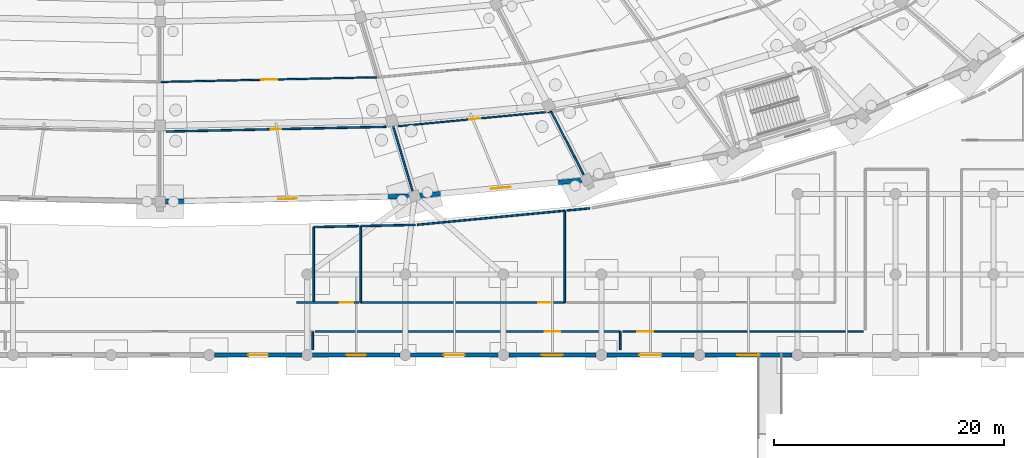
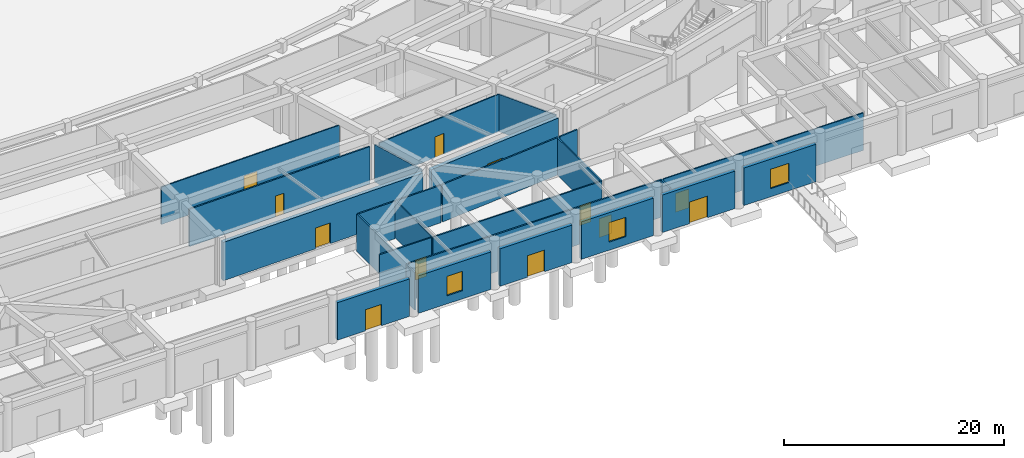
# One storey, part 48 of 88: 26 walls, 12 doors, 3 windows, 15 openings.
"""IFC4 building model written with IfcOpenShell, lengths in metres."""

import ifcopenshell
import ifcopenshell.guid

model = None  # the IFC model being written
_history = None  # IfcOwnerHistory: only IFC2X3 demands one
_inside = {}  # id of a spatial element -> (the spatial element, [elements in it])
_under = {}  # id of a project, library or spatial element -> (it, [spatial elements below it])
_declared = {}  # id of a project -> (the project, [libraries it declares])
_typed = {}  # id of a type object -> (the type object, [elements of that type])
_made_of = {}  # id of a material, layer set ... -> (it, [elements and type objects made of it])


def new_model(schema):
    """Start an empty IFC model of exactly this schema.

    Asked for "IFC4X3", IfcOpenShell would pick the latest addendum, in which some entities
    have other attributes; the version numbers below select the first issue.
    IFC2X3 requires an IfcOwnerHistory on every rooted entity: one is made here for all.
    """
    global model, _history
    if schema == "IFC4X3":
        model = ifcopenshell.file(schema_version=(4, 3, 0, 0))
    else:
        model = ifcopenshell.file(schema=schema)
    _inside.clear()
    _under.clear()
    _declared.clear()
    _typed.clear()
    _made_of.clear()
    _history = None
    if model.schema == "IFC2X3":
        org = make("IfcOrganization", Name="unknown")
        user = make(
            "IfcPersonAndOrganization",
            ThePerson=make("IfcPerson", FamilyName="unknown"),
            TheOrganization=org,
        )
        app = make(
            "IfcApplication",
            ApplicationDeveloper=org,
            Version="unknown",
            ApplicationFullName="unknown",
            ApplicationIdentifier="unknown",
        )
        _history = make(
            "IfcOwnerHistory",
            OwningUser=user,
            OwningApplication=app,
            ChangeAction="ADDED",
            CreationDate=0,
        )
    return model


def make(cls, **values):
    """One entity of the class cls with the attributes given. An attribute that is None is left unset."""
    return model.create_entity(
        cls, **{name: value for name, value in values.items() if value is not None}
    )


def rooted(cls, **values):
    """An entity with a GlobalId (a new one), such as an element, a storey or a relation."""
    return make(cls, GlobalId=ifcopenshell.guid.new(), OwnerHistory=_history, **values)


def si_unit(unit_type, name, prefix=None):
    """IfcSIUnit, for example si_unit("LENGTHUNIT", "METRE", prefix="MILLI")."""
    return make("IfcSIUnit", UnitType=unit_type, Prefix=prefix, Name=name)


def assignment(units):
    """IfcUnitAssignment: the units of a project."""
    return None if units is None else make("IfcUnitAssignment", Units=units)


def point(xyz):
    """IfcCartesianPoint."""
    return None if xyz is None else make("IfcCartesianPoint", Coordinates=xyz)


def direction(xyz):
    """IfcDirection."""
    return None if xyz is None else make("IfcDirection", DirectionRatios=xyz)


def frame(location, z_axis=None, x_axis=None):
    """IfcAxis2Placement3D, a coordinate frame: its origin and axes. An axis left out is left unset."""
    return make(
        "IfcAxis2Placement3D",
        Location=point(location),
        Axis=direction(z_axis),
        RefDirection=direction(x_axis),
    )


def frame_2d(location, x_axis=None):
    """IfcAxis2Placement2D, a coordinate frame in the plane: its origin and x axis."""
    return make(
        "IfcAxis2Placement2D", Location=point(location), RefDirection=direction(x_axis)
    )


def origin():
    """The frame at (0, 0, 0) with its axes left unset."""
    return frame((0.0, 0.0, 0.0))


def place(relative_to, where):
    """IfcLocalPlacement: puts the frame where relative to a parent placement (None: the world)."""
    return make(
        "IfcLocalPlacement", PlacementRelTo=relative_to, RelativePlacement=where
    )


def context(
    kind, dimensions, precision=None, world=None, true_north=None, identifier=None
):
    """IfcGeometricRepresentationContext, for example the 3D "Model" context."""
    return make(
        "IfcGeometricRepresentationContext",
        ContextIdentifier=identifier,
        ContextType=kind,
        CoordinateSpaceDimension=dimensions,
        Precision=precision,
        WorldCoordinateSystem=world,
        TrueNorth=true_north,
    )


def subcontext(parent, identifier, kind, view, scale=None):
    """IfcGeometricRepresentationSubContext, for example "Body" below "Model"."""
    return make(
        "IfcGeometricRepresentationSubContext",
        ContextIdentifier=identifier,
        ContextType=kind,
        ParentContext=parent,
        TargetScale=scale,
        TargetView=view,
    )


def project(units=None, contexts=None):
    """IfcProject with its units and contexts."""
    return rooted(
        "IfcProject",
        Name="project",
        RepresentationContexts=contexts,
        UnitsInContext=assignment(units),
    )


def spatial(cls, under=None, at=None, **own):
    """A site, building, storey or space (cls), placed at a placement, below another one or the project."""
    s = rooted(cls, ObjectPlacement=at, **own)
    if under is not None:
        _under.setdefault(under.id(), (under, []))[1].append(s)
    return s


def profile(cls, at=None, kind="AREA", **sizes):
    """A parametric profile (cls). Its sizes go by their IFC names, for example OverallWidth=200.0."""
    return make(cls, ProfileType=kind, Position=at, **sizes)


def rectangle(**sizes):
    """IfcRectangleProfileDef."""
    return profile("IfcRectangleProfileDef", **sizes)


def extrude(swept, where, along, depth):
    """IfcExtrudedAreaSolid: the profile swept, set in the frame where, extruded along a direction by depth."""
    return make(
        "IfcExtrudedAreaSolid",
        SweptArea=swept,
        Position=where,
        ExtrudedDirection=direction(along),
        Depth=depth,
    )


def shape(context_of_items, identifier, shape_type, items):
    """IfcShapeRepresentation: the items that make up one representation, for example the "Body"."""
    return make(
        "IfcShapeRepresentation",
        ContextOfItems=context_of_items,
        RepresentationIdentifier=identifier,
        RepresentationType=shape_type,
        Items=items,
    )


def material(Name=None, Category=None):
    """IfcMaterial."""
    return make("IfcMaterial", Name=Name, Category=Category)


def layer(
    of_material, thickness, ventilated=None, Name=None, Category=None, Priority=None
):
    """IfcMaterialLayer: one layer of a wall or slab, of a material (None: an air gap)."""
    return make(
        "IfcMaterialLayer",
        Material=of_material,
        LayerThickness=thickness,
        IsVentilated=ventilated,
        Name=Name,
        Category=Category,
        Priority=Priority,
    )


def layer_set(layers, Name=None):
    """IfcMaterialLayerSet."""
    return make("IfcMaterialLayerSet", MaterialLayers=layers, LayerSetName=Name)


def made_of(thing, what):
    """Note that an element or type object is made of a material, layer set ...; save() writes the relation."""
    if what is not None:
        _made_of.setdefault(what.id(), (what, []))[1].append(thing)
    return thing


def type_object(cls, material=None, **own):
    """A type object (cls), such as IfcWallType, which elements share."""
    return made_of(rooted(cls, **own), material)


def element(
    cls,
    number,
    at=None,
    inside=None,
    cuts=None,
    type_object=None,
    material=None,
    context=None,
    identifier="Body",
    shape_type=None,
    held_by="IfcProductDefinitionShape",
    body=None,
    shapes=None,
    **own,
):
    """One element of the class cls, such as IfcWall. Its Tag is "e" and its number.

    at: its placement. inside: the storey or other place that contains it. cuts: it is an
    opening in that element (IfcRelVoidsElement). A single representation is given by context,
    identifier, shape_type and body (its items); several are given by shapes. held_by: the class
    of the entity that holds the representations. save() writes the other relations.
    """
    e = rooted(cls, Tag="e%d" % number, ObjectPlacement=at, **own)
    if body is not None:
        shapes = [shape(context, identifier, shape_type, body)]
    if shapes is not None:
        e.Representation = make(held_by, Representations=shapes)
    if inside is not None:
        _inside.setdefault(inside.id(), (inside, []))[1].append(e)
    if cuts is not None:
        rooted(
            "IfcRelVoidsElement", RelatingBuildingElement=cuts, RelatedOpeningElement=e
        )
    if type_object is not None:
        _typed.setdefault(type_object.id(), (type_object, []))[1].append(e)
    return made_of(e, material)


def fill(opening, filler):
    """IfcRelFillsElement: the door or window that sits in an opening."""
    return rooted(
        "IfcRelFillsElement",
        RelatingOpeningElement=opening,
        RelatedBuildingElement=filler,
    )


def aggregate(whole, parts):
    """IfcRelAggregates: a whole, such as a stair, and the parts it consists of."""
    return rooted("IfcRelAggregates", RelatingObject=whole, RelatedObjects=parts)


def save(model, path):
    """Write the relations noted so far, then the file.

    IfcRelAggregates (storeys below a building ...), IfcRelContainedInSpatialStructure (elements
    in a storey), IfcRelDefinesByType, IfcRelAssociatesMaterial and IfcRelDeclares: one each for
    every whole, place, type object, material and project.
    """
    for whole, parts in _under.values():
        aggregate(whole, parts)
    for where, things in _inside.values():
        rooted(
            "IfcRelContainedInSpatialStructure",
            RelatedElements=things,
            RelatingStructure=where,
        )
    for kind, things in _typed.values():
        rooted("IfcRelDefinesByType", RelatedObjects=things, RelatingType=kind)
    for what, things in _made_of.values():
        rooted("IfcRelAssociatesMaterial", RelatedObjects=things, RelatingMaterial=what)
    for by, libraries in _declared.values():
        rooted("IfcRelDeclares", RelatingContext=by, RelatedDefinitions=libraries)
    model.write(path)


model = new_model("IFC4")

# Units and contexts
model_context = context("Model", 3, precision=1e-05, world=origin(), true_north=direction((0.0, 1.0)))
body_context = subcontext(model_context, "Body", "Model", "MODEL_VIEW")
ifc_project = project(units=[si_unit("LENGTHUNIT", "METRE"), si_unit("AREAUNIT", "SQUARE_METRE"), si_unit("VOLUMEUNIT", "CUBIC_METRE"), si_unit("PLANEANGLEUNIT", "RADIAN"), si_unit("MASSUNIT", "GRAM", prefix="KILO")], contexts=[model_context])

# Site, building, storey
site_placement = place(None, origin())
site = spatial("IfcSite", under=ifc_project, at=site_placement, CompositionType="ELEMENT")
building_placement = place(site_placement, origin())
building = spatial("IfcBuilding", under=site, at=building_placement, Name="Mphavela Belvedere Stadium", CompositionType="ELEMENT")
storey_placement = place(building_placement, origin())
storey = spatial("IfcBuildingStorey", under=building, at=storey_placement, Name="L00", CompositionType="ELEMENT", Elevation=0.0)

# Wall, opening, door
ifc_material_1 = material(Name="Honed ashlar limestone masonry", Category="masonry")
ifc_layer_1 = layer(ifc_material_1, 0.35009765625)
ifc_layer_set_1 = layer_set([ifc_layer_1], Name="Honed ashlar limestone masonry")
wall_type_1 = type_object("IfcWallType", Name="WAL-EXT-ASHLAR-350", PredefinedType="STANDARD", material=ifc_layer_set_1)
wall_1_placement = place(storey_placement, frame((127.304931640625, 0.0, 0.0), z_axis=(0.0, 0.0, 1.0), x_axis=(-1.0, 0.0, 0.0)))
wall_1 = element("IfcWall", 1, at=wall_1_placement, inside=storey, type_object=wall_type_1, Name="South Axial Triumphal Peristyle Portico outer facade bay L00-15", PredefinedType="STANDARD", context=body_context, shape_type="SweptSolid", body=[
    extrude(rectangle(XDim=7.572998046875, YDim=0.35009765625, at=frame_2d((3.78662109375, 0.0))), origin(), (0.0, 0.0, 1.0), 4.159912109375),
])
opening_1_placement = place(wall_1_placement, frame((2.9365234375, 0.0, 0.0)))
opening_1 = element("IfcOpeningElement", 2, at=opening_1_placement, cuts=wall_1, Name="Opening ED-032", PredefinedType="OPENING", context=body_context, shape_type="SweptSolid", body=[
    extrude(rectangle(XDim=1.699951171875, YDim=2.35009765625, at=frame_2d((0.85009765625, 1.175048828125))), frame((0.0, 0.18505859375, 0.0), z_axis=(0.0, -1.0, 0.0), x_axis=(1.0, 0.0, 0.0)), (0.0, 0.0, 1.0), 0.3701171875),
])
ifc_material_2 = material(Name="Glazed bronze-anodised steel exit doorset", Category="steel")
door_type_1 = type_object("IfcDoorType", Name="DR-EXT-08", OperationType="NOTDEFINED", PredefinedType="DOOR", material=ifc_material_2)
door_1_placement = place(opening_1_placement, origin())
door_1 = element("IfcDoor", 3, at=door_1_placement, inside=storey, type_object=door_type_1, Name="South Axial Triumphal Peristyle Portico ceremonial exit doorset ED-032", OperationType="DOUBLE_DOOR_SINGLE_SWING", OverallHeight=2.35009765625, OverallWidth=1.699951171875, PredefinedType="DOOR", context=body_context, shape_type="SweptSolid", body=[
    extrude(rectangle(XDim=1.699951171875, YDim=2.35009765625, at=frame_2d((0.85009765625, 1.175048828125))), frame((0.0, 0.02490234375, 0.0), z_axis=(0.0, -1.0, 0.0), x_axis=(1.0, 0.0, 0.0)), (0.0, 0.0, 1.0), 0.050048828125),
])
fill(opening_1, door_1)

# Wall, opening, window
wall_2_placement = place(storey_placement, frame((135.822998046875, 0.0, 0.0), z_axis=(0.0, 0.0, 1.0), x_axis=(-1.0, 0.0, 0.0)))
wall_2 = element("IfcWall", 4, at=wall_2_placement, inside=storey, type_object=wall_type_1, Name="South Axial Triumphal Peristyle Portico outer facade bay L00-16", PredefinedType="STANDARD", context=body_context, shape_type="SweptSolid", body=[
    extrude(rectangle(XDim=7.572021484375, YDim=0.35009765625, at=frame_2d((3.7861328125, 0.0))), origin(), (0.0, 0.0, 1.0), 4.159912109375),
])
opening_2_placement = place(wall_2_placement, frame((2.9560546875, 0.0, 0.89990234375)))
opening_2 = element("IfcOpeningElement", 5, at=opening_2_placement, cuts=wall_2, Name="Opening W-038", PredefinedType="OPENING", context=body_context, shape_type="SweptSolid", body=[
    extrude(rectangle(XDim=1.659912109375, YDim=2.14990234375, at=frame_2d((0.830078125, 1.074951171875))), frame((0.0, 0.18505859375, 0.0), z_axis=(0.0, -1.0, 0.0), x_axis=(1.0, 0.0, 0.0)), (0.0, 0.0, 1.0), 0.3701171875),
])
ifc_material_3 = material(Name="Bronze-anodised thermally broken aluminium window", Category="aluminium")
window_type_1 = type_object("IfcWindowType", Name="WIN-EXT-38", PartitioningType="SINGLE_PANEL", PredefinedType="WINDOW", material=ifc_material_3)
window_1_placement = place(opening_2_placement, origin())
window_1 = element("IfcWindow", 6, at=window_1_placement, inside=storey, type_object=window_type_1, Name="South Axial Triumphal Peristyle Portico classical window W-038", OverallHeight=2.14990234375, OverallWidth=1.659912109375, PartitioningType="SINGLE_PANEL", PredefinedType="WINDOW", context=body_context, shape_type="SweptSolid", body=[
    extrude(rectangle(XDim=1.659912109375, YDim=2.14990234375, at=frame_2d((0.830078125, 1.074951171875))), frame((0.0, 0.030029296875, 0.0), z_axis=(0.0, -1.0, 0.0), x_axis=(1.0, 0.0, 0.0)), (0.0, 0.0, 1.0), 0.06005859375),
])
fill(opening_2, window_1)

# Wall, opening, door
wall_3_placement = place(storey_placement, frame((144.342041015625, 0.0, 0.0), z_axis=(0.0, 0.0, 1.0), x_axis=(-1.0, 0.0, 0.0)))
wall_3 = element("IfcWall", 7, at=wall_3_placement, inside=storey, type_object=wall_type_1, Name="South Axial Triumphal Peristyle Portico outer facade bay L00-17", PredefinedType="STANDARD", context=body_context, shape_type="SweptSolid", body=[
    extrude(rectangle(XDim=7.572998046875, YDim=0.35009765625, at=frame_2d((3.78662109375, 0.0))), origin(), (0.0, 0.0, 1.0), 4.159912109375),
])
opening_3_placement = place(wall_3_placement, frame((2.886474609375, 0.0, 0.0)))
opening_3 = element("IfcOpeningElement", 8, at=opening_3_placement, cuts=wall_3, Name="Opening ED-033", PredefinedType="OPENING", context=body_context, shape_type="SweptSolid", body=[
    extrude(rectangle(XDim=1.800048828125, YDim=2.39990234375, at=frame_2d((0.89990234375, 1.199951171875))), frame((0.0, 0.18505859375, 0.0), z_axis=(0.0, -1.0, 0.0), x_axis=(1.0, 0.0, 0.0)), (0.0, 0.0, 1.0), 0.3701171875),
])
ifc_material_4 = material(Name="Glazed bronze-anodised steel exit doorset", Category="steel")
door_type_2 = type_object("IfcDoorType", Name="DR-EXT-01", OperationType="NOTDEFINED", PredefinedType="DOOR", material=ifc_material_4)
door_2_placement = place(opening_3_placement, origin())
door_2 = element("IfcDoor", 9, at=door_2_placement, inside=storey, type_object=door_type_2, Name="South Axial Triumphal Peristyle Portico ceremonial exit doorset ED-033", OperationType="DOUBLE_DOOR_SINGLE_SWING", OverallHeight=2.39990234375, OverallWidth=1.800048828125, PredefinedType="DOOR", context=body_context, shape_type="SweptSolid", body=[
    extrude(rectangle(XDim=1.800048828125, YDim=2.39990234375, at=frame_2d((0.89990234375, 1.199951171875))), frame((0.0, 0.02490234375, 0.0), z_axis=(0.0, -1.0, 0.0), x_axis=(1.0, 0.0, 0.0)), (0.0, 0.0, 1.0), 0.050048828125),
])
fill(opening_3, door_2)

# Wall, opening, window
wall_4_placement = place(storey_placement, frame((152.860107421875, 0.0, 0.0), z_axis=(0.0, 0.0, 1.0), x_axis=(-1.0, 0.0, 0.0)))
wall_4 = element("IfcWall", 10, at=wall_4_placement, inside=storey, type_object=wall_type_1, Name="South Axial Triumphal Peristyle Portico outer facade bay L00-18", PredefinedType="STANDARD", context=body_context, shape_type="SweptSolid", body=[
    extrude(rectangle(XDim=7.572021484375, YDim=0.35009765625, at=frame_2d((3.7861328125, 0.0))), origin(), (0.0, 0.0, 1.0), 4.159912109375),
])
opening_4_placement = place(wall_4_placement, frame((2.885986328125, 0.0, 0.89990234375)))
opening_4 = element("IfcOpeningElement", 11, at=opening_4_placement, cuts=wall_4, Name="Opening W-039", PredefinedType="OPENING", context=body_context, shape_type="SweptSolid", body=[
    extrude(rectangle(XDim=1.800048828125, YDim=2.14990234375, at=frame_2d((0.89990234375, 1.074951171875))), frame((0.0, 0.18505859375, 0.0), z_axis=(0.0, -1.0, 0.0), x_axis=(1.0, 0.0, 0.0)), (0.0, 0.0, 1.0), 0.3701171875),
])
ifc_material_5 = material(Name="Bronze-anodised thermally broken aluminium window", Category="aluminium")
window_type_2 = type_object("IfcWindowType", Name="WIN-EXT-39", PartitioningType="SINGLE_PANEL", PredefinedType="WINDOW", material=ifc_material_5)
window_2_placement = place(opening_4_placement, origin())
window_2 = element("IfcWindow", 12, at=window_2_placement, inside=storey, type_object=window_type_2, Name="South Axial Triumphal Peristyle Portico classical window W-039", OverallHeight=2.14990234375, OverallWidth=1.800048828125, PartitioningType="SINGLE_PANEL", PredefinedType="WINDOW", context=body_context, shape_type="SweptSolid", body=[
    extrude(rectangle(XDim=1.800048828125, YDim=2.14990234375, at=frame_2d((0.89990234375, 1.074951171875))), frame((0.0, 0.030029296875, 0.0), z_axis=(0.0, -1.0, 0.0), x_axis=(1.0, 0.0, 0.0)), (0.0, 0.0, 1.0), 0.06005859375),
])
fill(opening_4, window_2)

# Wall, opening, door
wall_5_placement = place(storey_placement, frame((161.37890625, 0.0, 0.0), z_axis=(0.0, 0.0, 1.0), x_axis=(-1.0, 0.0, 0.0)))
wall_5 = element("IfcWall", 13, at=wall_5_placement, inside=storey, type_object=wall_type_1, Name="South Axial Triumphal Peristyle Portico outer facade bay L00-19", PredefinedType="STANDARD", context=body_context, shape_type="SweptSolid", body=[
    extrude(rectangle(XDim=7.572998046875, YDim=0.35009765625, at=frame_2d((3.78662109375, 0.0))), origin(), (0.0, 0.0, 1.0), 4.159912109375),
])
opening_5_placement = place(wall_5_placement, frame((2.83642578125, 0.0, 0.0)))
opening_5 = element("IfcOpeningElement", 14, at=opening_5_placement, cuts=wall_5, Name="Opening ED-034", PredefinedType="OPENING", context=body_context, shape_type="SweptSolid", body=[
    extrude(rectangle(XDim=1.89990234375, YDim=2.39990234375, at=frame_2d((0.949951171875, 1.199951171875))), frame((0.0, 0.18505859375, 0.0), z_axis=(0.0, -1.0, 0.0), x_axis=(1.0, 0.0, 0.0)), (0.0, 0.0, 1.0), 0.3701171875),
])
ifc_material_6 = material(Name="Glazed bronze-anodised steel exit doorset", Category="steel")
door_type_3 = type_object("IfcDoorType", Name="DR-EXT-02", OperationType="NOTDEFINED", PredefinedType="DOOR", material=ifc_material_6)
door_3_placement = place(opening_5_placement, origin())
door_3 = element("IfcDoor", 15, at=door_3_placement, inside=storey, type_object=door_type_3, Name="South Axial Triumphal Peristyle Portico ceremonial exit doorset ED-034", OperationType="DOUBLE_DOOR_SINGLE_SWING", OverallHeight=2.39990234375, OverallWidth=1.89990234375, PredefinedType="DOOR", context=body_context, shape_type="SweptSolid", body=[
    extrude(rectangle(XDim=1.89990234375, YDim=2.39990234375, at=frame_2d((0.949951171875, 1.199951171875))), frame((0.0, 0.02490234375, 0.0), z_axis=(0.0, -1.0, 0.0), x_axis=(1.0, 0.0, 0.0)), (0.0, 0.0, 1.0), 0.050048828125),
])
fill(opening_5, door_3)

# Wall, opening, window
wall_6_placement = place(storey_placement, frame((169.89697265625, 0.0, 0.0), z_axis=(0.0, 0.0, 1.0), x_axis=(-1.0, 0.0, 0.0)))
wall_6 = element("IfcWall", 16, at=wall_6_placement, inside=storey, type_object=wall_type_1, Name="South Axial Triumphal Peristyle Portico outer facade bay L00-20", PredefinedType="STANDARD", context=body_context, shape_type="SweptSolid", body=[
    extrude(rectangle(XDim=7.572021484375, YDim=0.35009765625, at=frame_2d((3.7861328125, 0.0))), origin(), (0.0, 0.0, 1.0), 4.159912109375),
])
opening_6_placement = place(wall_6_placement, frame((2.81591796875, 0.0, 0.89990234375)))
opening_6 = element("IfcOpeningElement", 17, at=opening_6_placement, cuts=wall_6, Name="Opening W-040", PredefinedType="OPENING", context=body_context, shape_type="SweptSolid", body=[
    extrude(rectangle(XDim=1.93994140625, YDim=2.14990234375, at=frame_2d((0.969970703125, 1.074951171875))), frame((0.0, 0.18505859375, 0.0), z_axis=(0.0, -1.0, 0.0), x_axis=(1.0, 0.0, 0.0)), (0.0, 0.0, 1.0), 0.3701171875),
])
ifc_material_7 = material(Name="Bronze-anodised thermally broken aluminium window", Category="aluminium")
window_type_3 = type_object("IfcWindowType", Name="WIN-EXT-40", PartitioningType="SINGLE_PANEL", PredefinedType="WINDOW", material=ifc_material_7)
window_3_placement = place(opening_6_placement, origin())
window_3 = element("IfcWindow", 18, at=window_3_placement, inside=storey, type_object=window_type_3, Name="South Axial Triumphal Peristyle Portico classical window W-040", OverallHeight=2.14990234375, OverallWidth=1.93994140625, PartitioningType="SINGLE_PANEL", PredefinedType="WINDOW", context=body_context, shape_type="SweptSolid", body=[
    extrude(rectangle(XDim=1.93994140625, YDim=2.14990234375, at=frame_2d((0.969970703125, 1.074951171875))), frame((0.0, 0.030029296875, 0.0), z_axis=(0.0, -1.0, 0.0), x_axis=(1.0, 0.0, 0.0)), (0.0, 0.0, 1.0), 0.06005859375),
])
fill(opening_6, window_3)

# Wall, opening, door
ifc_material_8 = material(Name="Rusticated ashlar limestone masonry", Category="masonry")
ifc_layer_2 = layer(ifc_material_8, 0.39990234375)
ifc_layer_set_2 = layer_set([ifc_layer_2], Name="Rusticated ashlar limestone masonry")
wall_type_2 = type_object("IfcWallType", Name="WAL-EXT-ASHLAR-400", PredefinedType="STANDARD", material=ifc_layer_set_2)
wall_7_placement = place(storey_placement, frame((136.666748046875, 13.796630859375, 0.0), z_axis=(0.0, 0.0, 1.0), x_axis=(-0.999768115817, -0.021534033422, 0.0)))
wall_7 = element("IfcWall", 19, at=wall_7_placement, inside=storey, type_object=wall_type_2, Name="Ground plinth rusticated ashlar wall 37", PredefinedType="STANDARD", context=body_context, shape_type="SweptSolid", body=[
    extrude(rectangle(XDim=21.2236328125, YDim=0.39990234375, at=frame_2d((10.61181640625, 0.0))), origin(), (0.0, 0.0, 1.0), 4.25),
])
opening_7_placement = place(wall_7_placement, frame((9.81201171875, 0.0, 0.0)))
opening_7 = element("IfcOpeningElement", 20, at=opening_7_placement, cuts=wall_7, Name="Opening ED-015", PredefinedType="OPENING", context=body_context, shape_type="SweptSolid", body=[
    extrude(rectangle(XDim=1.60009765625, YDim=2.300048828125, at=frame_2d((0.800048828125, 1.14990234375))), frame((0.0, 0.2099609375, 0.0), z_axis=(0.0, -1.0, 0.0), x_axis=(1.0, 0.0, 0.0)), (0.0, 0.0, 1.0), 0.419921875),
])
ifc_material_9 = material(Name="Glazed bronze-anodised steel exit doorset", Category="steel")
door_type_4 = type_object("IfcDoorType", Name="DR-EXT-07", OperationType="NOTDEFINED", PredefinedType="DOOR", material=ifc_material_9)
door_4_placement = place(opening_7_placement, origin())
door_4 = element("IfcDoor", 21, at=door_4_placement, inside=storey, type_object=door_type_4, Name="Spectator final exit doorset ED-015", OperationType="DOUBLE_DOOR_SINGLE_SWING", OverallHeight=2.300048828125, OverallWidth=1.60009765625, PredefinedType="DOOR", context=body_context, shape_type="SweptSolid", body=[
    extrude(rectangle(XDim=1.60009765625, YDim=2.300048828125, at=frame_2d((0.800048828125, 1.14990234375))), frame((0.0, 0.02490234375, 0.0), z_axis=(0.0, -1.0, 0.0), x_axis=(1.0, 0.0, 0.0)), (0.0, 0.0, 1.0), 0.050048828125),
])
fill(opening_7, door_4)

wall_8_placement = place(storey_placement, frame((151.626708984375, 15.190185546875, 0.0), z_axis=(0.0, 0.0, 1.0), x_axis=(-0.995482650467, -0.094943628644, 0.0)))
wall_8 = element("IfcWall", 22, at=wall_8_placement, inside=storey, type_object=wall_type_2, Name="Ground plinth rusticated ashlar wall 38", PredefinedType="STANDARD", context=body_context, shape_type="SweptSolid", body=[
    extrude(rectangle(XDim=14.1298828125, YDim=0.39990234375, at=frame_2d((7.06494140625, 0.0))), origin(), (0.0, 0.0, 1.0), 4.25),
])
opening_8_placement = place(wall_8_placement, frame((6.215087890625, 0.0, 0.0)))
opening_8 = element("IfcOpeningElement", 23, at=opening_8_placement, cuts=wall_8, Name="Opening ED-016", PredefinedType="OPENING", context=body_context, shape_type="SweptSolid", body=[
    extrude(rectangle(XDim=1.699951171875, YDim=2.35009765625, at=frame_2d((0.85009765625, 1.175048828125))), frame((0.0, 0.2099609375, 0.0), z_axis=(0.0, -1.0, 0.0), x_axis=(1.0, 0.0, 0.0)), (0.0, 0.0, 1.0), 0.419921875),
])
door_5_placement = place(opening_8_placement, origin())
door_5 = element("IfcDoor", 24, at=door_5_placement, inside=storey, type_object=door_type_1, Name="Spectator final exit doorset ED-016", OperationType="DOUBLE_DOOR_SINGLE_SWING", OverallHeight=2.35009765625, OverallWidth=1.699951171875, PredefinedType="DOOR", context=body_context, shape_type="SweptSolid", body=[
    extrude(rectangle(XDim=1.699951171875, YDim=2.35009765625, at=frame_2d((0.85009765625, 1.175048828125))), frame((0.0, 0.02490234375, 0.0), z_axis=(0.0, -1.0, 0.0), x_axis=(1.0, 0.0, 0.0)), (0.0, 0.0, 1.0), 0.050048828125),
])
fill(opening_8, door_5)

ifc_material_10 = material(Name="Moisture-resistant sanitary partition assembly")
ifc_layer_3 = layer(ifc_material_10, 0.125)
ifc_layer_set_3 = layer_set([ifc_layer_3], Name="Moisture-resistant sanitary partition assembly")
wall_type_3 = type_object("IfcWallType", Name="WAL-PART-125", PredefinedType="PARTITIONING", material=ifc_layer_set_3)
wall_9_placement = place(storey_placement, frame((133.95263671875, 24.133544921875, 0.0), z_axis=(0.0, 0.0, 1.0), x_axis=(-0.999768266483, -0.021527037261, 0.0)))
wall_9 = element("IfcWall", 25, at=wall_9_placement, inside=storey, type_object=wall_type_3, Name="Room L00-129 corridor partition", PredefinedType="PARTITIONING", context=body_context, shape_type="SweptSolid", body=[
    extrude(rectangle(XDim=18.9169921875, YDim=0.125, at=frame_2d((9.45849609375, 0.0))), origin(), (0.0, 0.0, 1.0), 4.14990234375),
])
opening_9_placement = place(wall_9_placement, frame((8.758544921875, 0.0, 0.0)))
opening_9 = element("IfcOpeningElement", 26, at=opening_9_placement, cuts=wall_9, Name="Opening ID-060", PredefinedType="OPENING", context=body_context, shape_type="SweptSolid", body=[
    extrude(rectangle(XDim=1.39990234375, YDim=2.199951171875, at=frame_2d((0.699951171875, 1.10009765625))), frame((0.0, 0.072509765625, 0.0), z_axis=(0.0, -1.0, 0.0), x_axis=(1.0, 0.0, 0.0)), (0.0, 0.0, 1.0), 0.14501953125),
])
ifc_material_11 = material(Name="Hardwood acoustic timber doorset", Category="wood")
door_type_5 = type_object("IfcDoorType", Name="DR-INT-24", OperationType="NOTDEFINED", PredefinedType="DOOR", material=ifc_material_11)
door_6_placement = place(opening_9_placement, origin())
door_6 = element("IfcDoor", 27, at=door_6_placement, inside=storey, type_object=door_type_5, Name="Room L00-129 entrance door ID-060", OperationType="SINGLE_SWING_RIGHT", OverallHeight=2.199951171875, OverallWidth=1.39990234375, PredefinedType="DOOR", context=body_context, shape_type="SweptSolid", body=[
    extrude(rectangle(XDim=1.39990234375, YDim=2.199951171875, at=frame_2d((0.699951171875, 1.10009765625))), frame((0.0, 0.02490234375, 0.0), z_axis=(0.0, -1.0, 0.0), x_axis=(1.0, 0.0, 0.0)), (0.0, 0.0, 1.0), 0.050048828125),
])
fill(opening_9, door_6)

wall_10_placement = place(storey_placement, frame((135.68115234375, 19.880859375, 0.0), z_axis=(0.0, 0.0, 1.0), x_axis=(0.995484535327, 0.094923863827, 0.0)))
wall_10 = element("IfcWall", 28, at=wall_10_placement, inside=storey, type_object=wall_type_3, Name="Room L00-133 corridor partition", PredefinedType="PARTITIONING", context=body_context, shape_type="SweptSolid", body=[
    extrude(rectangle(XDim=13.35107421875, YDim=0.125, at=frame_2d((6.675537109375, 0.0))), origin(), (0.0, 0.0, 1.0), 4.14990234375),
])
opening_10_placement = place(wall_10_placement, frame((6.185546875, 0.0, 0.0)))
opening_10 = element("IfcOpeningElement", 29, at=opening_10_placement, cuts=wall_10, Name="Opening ID-063", PredefinedType="OPENING", context=body_context, shape_type="SweptSolid", body=[
    extrude(rectangle(XDim=0.97998046875, YDim=2.300048828125, at=frame_2d((0.489990234375, 1.14990234375))), frame((0.0, 0.072509765625, 0.0), z_axis=(0.0, -1.0, 0.0), x_axis=(1.0, 0.0, 0.0)), (0.0, 0.0, 1.0), 0.14501953125),
])
ifc_material_12 = material(Name="Hardwood acoustic timber doorset", Category="wood")
door_type_6 = type_object("IfcDoorType", Name="DR-INT-27", OperationType="NOTDEFINED", PredefinedType="DOOR", material=ifc_material_12)
door_7_placement = place(opening_10_placement, origin())
door_7 = element("IfcDoor", 30, at=door_7_placement, inside=storey, type_object=door_type_6, Name="Room L00-133 entrance door ID-063", OperationType="SINGLE_SWING_LEFT", OverallHeight=2.300048828125, OverallWidth=0.97998046875, PredefinedType="DOOR", context=body_context, shape_type="SweptSolid", body=[
    extrude(rectangle(XDim=0.97998046875, YDim=2.300048828125, at=frame_2d((0.489990234375, 1.14990234375))), frame((0.0, 0.02490234375, 0.0), z_axis=(0.0, -1.0, 0.0), x_axis=(1.0, 0.0, 0.0)), (0.0, 0.0, 1.0), 0.050048828125),
])
fill(opening_10, door_7)

wall_11_placement = place(storey_placement, frame((155.174072265625, 2.0400390625, 0.0), z_axis=(0.0, 0.0, 1.0), x_axis=(1.0, 0.0, 0.0)))
wall_11 = element("IfcWall", 31, at=wall_11_placement, inside=storey, type_object=wall_type_3, Name="Room L00-170 corridor partition", PredefinedType="PARTITIONING", context=body_context, shape_type="SweptSolid", body=[
    extrude(rectangle(XDim=20.926025390625, YDim=0.125, at=frame_2d((10.462890625, 0.0))), origin(), (0.0, 0.0, 1.0), 4.14990234375),
])
opening_11_placement = place(wall_11_placement, frame((1.264404296875, 0.0, 0.0)))
opening_11 = element("IfcOpeningElement", 32, at=opening_11_placement, cuts=wall_11, Name="Opening ID-372", PredefinedType="OPENING", context=body_context, shape_type="SweptSolid", body=[
    extrude(rectangle(XDim=1.39990234375, YDim=2.10009765625, at=frame_2d((0.699951171875, 1.050048828125))), frame((0.0, 0.072509765625, 0.0), z_axis=(0.0, -1.0, 0.0), x_axis=(1.0, 0.0, 0.0)), (0.0, 0.0, 1.0), 0.14501953125),
])
ifc_material_13 = material(Name="Hardwood acoustic timber doorset", Category="wood")
door_type_7 = type_object("IfcDoorType", Name="DR-INT-12", OperationType="NOTDEFINED", PredefinedType="DOOR", material=ifc_material_13)
door_8_placement = place(opening_11_placement, origin())
door_8 = element("IfcDoor", 33, at=door_8_placement, inside=storey, type_object=door_type_7, Name="Room L00-170 entrance door ID-372", OperationType="SINGLE_SWING_RIGHT", OverallHeight=2.10009765625, OverallWidth=1.39990234375, PredefinedType="DOOR", context=body_context, shape_type="SweptSolid", body=[
    extrude(rectangle(XDim=1.39990234375, YDim=2.10009765625, at=frame_2d((0.699951171875, 1.050048828125))), frame((0.0, 0.02490234375, 0.0), z_axis=(0.0, -1.0, 0.0), x_axis=(1.0, 0.0, 0.0)), (0.0, 0.0, 1.0), 0.050048828125),
])
fill(opening_11, door_8)

ifc_material_14 = material(Name="Acoustic gypsum stud partition assembly")
ifc_layer_4 = layer(ifc_material_14, 0.14990234375)
ifc_layer_set_4 = layer_set([ifc_layer_4], Name="Acoustic gypsum stud partition assembly")
wall_type_4 = type_object("IfcWallType", Name="WAL-PART-150", PredefinedType="PARTITIONING", material=ifc_layer_set_4)
wall_12_placement = place(storey_placement, frame((115.51123046875, 19.4169921875, 0.0), z_axis=(0.0, 0.0, 1.0), x_axis=(0.999768107727, 0.021534409017, 0.0)))
wall_12 = element("IfcWall", 34, at=wall_12_placement, inside=storey, type_object=wall_type_4, Name="Room L00-130 corridor partition", PredefinedType="PARTITIONING", context=body_context, shape_type="SweptSolid", body=[
    extrude(rectangle(XDim=19.13720703125, YDim=0.14990234375, at=frame_2d((9.568603515625, 0.0))), origin(), (0.0, 0.0, 1.0), 4.14990234375),
])
opening_12_placement = place(wall_12_placement, frame((9.11865234375, 0.0, 0.0)))
opening_12 = element("IfcOpeningElement", 35, at=opening_12_placement, cuts=wall_12, Name="Opening ID-061", PredefinedType="OPENING", context=body_context, shape_type="SweptSolid", body=[
    extrude(rectangle(XDim=0.89990234375, YDim=2.300048828125, at=frame_2d((0.449951171875, 1.14990234375))), frame((0.0, 0.0849609375, 0.0), z_axis=(0.0, -1.0, 0.0), x_axis=(1.0, 0.0, 0.0)), (0.0, 0.0, 1.0), 0.169921875),
])
ifc_material_15 = material(Name="Hardwood acoustic timber doorset", Category="wood")
door_type_8 = type_object("IfcDoorType", Name="DR-INT-25", OperationType="NOTDEFINED", PredefinedType="DOOR", material=ifc_material_15)
door_9_placement = place(opening_12_placement, origin())
door_9 = element("IfcDoor", 36, at=door_9_placement, inside=storey, type_object=door_type_8, Name="Room L00-130 entrance door ID-061", OperationType="SINGLE_SWING_LEFT", OverallHeight=2.300048828125, OverallWidth=0.89990234375, PredefinedType="DOOR", context=body_context, shape_type="SweptSolid", body=[
    extrude(rectangle(XDim=0.89990234375, YDim=2.300048828125, at=frame_2d((0.449951171875, 1.14990234375))), frame((0.0, 0.02490234375, 0.0), z_axis=(0.0, -1.0, 0.0), x_axis=(1.0, 0.0, 0.0)), (0.0, 0.0, 1.0), 0.050048828125),
])
fill(opening_12, door_9)

wall_13_placement = place(storey_placement, frame((128.4580078125, 2.0400390625, 0.0), z_axis=(0.0, 0.0, 1.0), x_axis=(1.0, 0.0, 0.0)))
wall_13 = element("IfcWall", 37, at=wall_13_placement, inside=storey, type_object=wall_type_4, Name="Room L00-169 corridor partition", PredefinedType="PARTITIONING", context=body_context, shape_type="SweptSolid", body=[
    extrude(rectangle(XDim=26.51611328125, YDim=0.14990234375, at=frame_2d((13.258056640625, 0.0))), origin(), (0.0, 0.0, 1.0), 4.14990234375),
])
opening_13_placement = place(wall_13_placement, frame((19.96484375, 0.0, 0.0)))
opening_13 = element("IfcOpeningElement", 38, at=opening_13_placement, cuts=wall_13, Name="Opening ID-371", PredefinedType="OPENING", context=body_context, shape_type="SweptSolid", body=[
    extrude(rectangle(XDim=1.320068359375, YDim=2.10009765625, at=frame_2d((0.66015625, 1.050048828125))), frame((0.0, 0.0849609375, 0.0), z_axis=(0.0, -1.0, 0.0), x_axis=(1.0, 0.0, 0.0)), (0.0, 0.0, 1.0), 0.169921875),
])
ifc_material_16 = material(Name="Hardwood acoustic timber doorset", Category="wood")
door_type_9 = type_object("IfcDoorType", Name="DR-INT-11", OperationType="NOTDEFINED", PredefinedType="DOOR", material=ifc_material_16)
door_10_placement = place(opening_13_placement, origin())
door_10 = element("IfcDoor", 39, at=door_10_placement, inside=storey, type_object=door_type_9, Name="Room L00-169 entrance door ID-371", OperationType="SINGLE_SWING_LEFT", OverallHeight=2.10009765625, OverallWidth=1.320068359375, PredefinedType="DOOR", context=body_context, shape_type="SweptSolid", body=[
    extrude(rectangle(XDim=1.320068359375, YDim=2.10009765625, at=frame_2d((0.66015625, 1.050048828125))), frame((0.0, 0.02490234375, 0.0), z_axis=(0.0, -1.0, 0.0), x_axis=(1.0, 0.0, 0.0)), (0.0, 0.0, 1.0), 0.050048828125),
])
fill(opening_13, door_10)

wall_14_placement = place(storey_placement, frame((132.26806640625, 4.56005859375, 0.0), z_axis=(0.0, 0.0, 1.0), x_axis=(-1.0, 0.0, 0.0)))
wall_14 = element("IfcWall", 40, at=wall_14_placement, inside=storey, type_object=wall_type_4, Name="Room L00-177 corridor partition", PredefinedType="PARTITIONING", context=body_context, shape_type="SweptSolid", body=[
    extrude(rectangle(XDim=5.420166015625, YDim=0.14990234375, at=frame_2d((2.7099609375, 0.0))), origin(), (0.0, 0.0, 1.0), 4.14990234375),
])
opening_14_placement = place(wall_14_placement, frame((0.501953125, 0.0, 0.0)))
opening_14 = element("IfcOpeningElement", 41, at=opening_14_placement, cuts=wall_14, Name="Opening ID-379", PredefinedType="OPENING", context=body_context, shape_type="SweptSolid", body=[
    extrude(rectangle(XDim=1.139892578125, YDim=2.199951171875, at=frame_2d((0.56982421875, 1.10009765625))), frame((0.0, 0.0849609375, 0.0), z_axis=(0.0, -1.0, 0.0), x_axis=(1.0, 0.0, 0.0)), (0.0, 0.0, 1.0), 0.169921875),
])
ifc_material_17 = material(Name="Hardwood acoustic timber doorset", Category="wood")
door_type_10 = type_object("IfcDoorType", Name="DR-INT-19", OperationType="NOTDEFINED", PredefinedType="DOOR", material=ifc_material_17)
door_11_placement = place(opening_14_placement, origin())
door_11 = element("IfcDoor", 42, at=door_11_placement, inside=storey, type_object=door_type_10, Name="Room L00-177 entrance door ID-379", OperationType="SINGLE_SWING_LEFT", OverallHeight=2.199951171875, OverallWidth=1.139892578125, PredefinedType="DOOR", context=body_context, shape_type="SweptSolid", body=[
    extrude(rectangle(XDim=1.139892578125, YDim=2.199951171875, at=frame_2d((0.56982421875, 1.10009765625))), frame((0.0, 0.02490234375, 0.0), z_axis=(0.0, -1.0, 0.0), x_axis=(1.0, 0.0, 0.0)), (0.0, 0.0, 1.0), 0.050048828125),
])
fill(opening_14, door_11)

wall_15_placement = place(storey_placement, frame((150.14404296875, 4.56005859375, 0.0), z_axis=(0.0, 0.0, 1.0), x_axis=(-1.0, 0.0, 0.0)))
wall_15 = element("IfcWall", 43, at=wall_15_placement, inside=storey, type_object=wall_type_4, Name="Room L00-178 corridor partition", PredefinedType="PARTITIONING", context=body_context, shape_type="SweptSolid", body=[
    extrude(rectangle(XDim=17.716064453125, YDim=0.14990234375, at=frame_2d((8.85791015625, 0.0))), origin(), (0.0, 0.0, 1.0), 4.14990234375),
])
opening_15_placement = place(wall_15_placement, frame((1.11474609375, 0.0, 0.0)))
opening_15 = element("IfcOpeningElement", 44, at=opening_15_placement, cuts=wall_15, Name="Opening ID-380", PredefinedType="OPENING", context=body_context, shape_type="SweptSolid", body=[
    extrude(rectangle(XDim=1.179931640625, YDim=2.199951171875, at=frame_2d((0.58984375, 1.10009765625))), frame((0.0, 0.0849609375, 0.0), z_axis=(0.0, -1.0, 0.0), x_axis=(1.0, 0.0, 0.0)), (0.0, 0.0, 1.0), 0.169921875),
])
ifc_material_18 = material(Name="Hardwood acoustic timber doorset", Category="wood")
door_type_11 = type_object("IfcDoorType", Name="DR-INT-20", OperationType="NOTDEFINED", PredefinedType="DOOR", material=ifc_material_18)
door_12_placement = place(opening_15_placement, origin())
door_12 = element("IfcDoor", 45, at=door_12_placement, inside=storey, type_object=door_type_11, Name="Room L00-178 entrance door ID-380", OperationType="SINGLE_SWING_RIGHT", OverallHeight=2.199951171875, OverallWidth=1.179931640625, PredefinedType="DOOR", context=body_context, shape_type="SweptSolid", body=[
    extrude(rectangle(XDim=1.179931640625, YDim=2.199951171875, at=frame_2d((0.58984375, 1.10009765625))), frame((0.0, 0.02490234375, 0.0), z_axis=(0.0, -1.0, 0.0), x_axis=(1.0, 0.0, 0.0)), (0.0, 0.0, 1.0), 0.050048828125),
])
fill(opening_15, door_12)

# Walls
wall_16_placement = place(storey_placement, frame((135.249267578125, 19.842041015625, 0.0), z_axis=(0.0, 0.0, 1.0), x_axis=(0.289195444178, -0.957270074256, 0.0)))
element("IfcWall", 46, at=wall_16_placement, inside=storey, type_object=wall_type_4, Name="Room divider partition L00-0108", PredefinedType="PARTITIONING", context=body_context, shape_type="SweptSolid", body=[
    extrude(rectangle(XDim=5.8173828125, YDim=0.14990234375, at=frame_2d((2.90869140625, 0.0))), origin(), (0.0, 0.0, 1.0), 4.14990234375),
])
wall_17_placement = place(storey_placement, frame((148.971923828125, 21.148193359375, 0.0), z_axis=(0.0, 0.0, 1.0), x_axis=(0.45896480759, -0.888454447563, 0.0)))
element("IfcWall", 47, at=wall_17_placement, inside=storey, type_object=wall_type_4, Name="Room divider partition L00-0111", PredefinedType="PARTITIONING", context=body_context, shape_type="SweptSolid", body=[
    extrude(rectangle(XDim=6.16259765625, YDim=0.14990234375, at=frame_2d((3.081298828125, 0.0))), origin(), (0.0, 0.0, 1.0), 4.14990234375),
])
for number, where, z_axis, x_axis, name in (
    (48, (128.258056640625, 2.0400390625, 0.0), (0.0, 0.0, 1.0), (0.0, -1.0, 0.0), "Room divider partition L00-0662"),
    (49, (154.97412109375, 2.0400390625, 0.0), (0.0, 0.0, 1.0), (0.0, -1.0, 0.0), "Room divider partition L00-0663"),
):
    element("IfcWall", number, at=place(storey_placement, frame(where, z_axis=z_axis, x_axis=x_axis)), inside=storey, type_object=wall_type_4, Name=name, PredefinedType="PARTITIONING", context=body_context, shape_type="SweptSolid", body=[
        extrude(rectangle(XDim=1.590087890625, YDim=0.14990234375, at=frame_2d((0.794921875, 0.0))), origin(), (0.0, 0.0, 1.0), 4.14990234375),
    ])
wall_18_placement = place(storey_placement, frame((128.35009765625, 11.116943359375, 0.0), z_axis=(0.0, 0.0, 1.0), x_axis=(0.999767657321, 0.021555309661, 0.0)))
element("IfcWall", 50, at=wall_18_placement, inside=storey, type_object=wall_type_4, Name="Room divider partition L00-0690", PredefinedType="PARTITIONING", context=body_context, shape_type="SweptSolid", body=[
    extrude(rectangle(XDim=3.9189453125, YDim=0.14990234375, at=frame_2d((1.95947265625, 0.0))), origin(), (0.0, 0.0, 1.0), 4.14990234375),
])
wall_19_placement = place(storey_placement, frame((128.35009765625, 4.64990234375, 0.0), z_axis=(0.0, 0.0, 1.0), x_axis=(0.0, 1.0, 0.0)))
element("IfcWall", 51, at=wall_19_placement, inside=storey, type_object=wall_type_4, Name="Room divider partition L00-0691", PredefinedType="PARTITIONING", context=body_context, shape_type="SweptSolid", body=[
    extrude(rectangle(XDim=6.467041015625, YDim=0.14990234375, at=frame_2d((3.2333984375, 0.0))), origin(), (0.0, 0.0, 1.0), 4.14990234375),
])
wall_20_placement = place(storey_placement, frame((137.351806640625, 11.3173828125, 0.0), z_axis=(0.0, 0.0, 1.0), x_axis=(0.995483253835, 0.094937302124, 0.0)))
element("IfcWall", 52, at=wall_20_placement, inside=storey, type_object=wall_type_4, Name="Room divider partition L00-0692", PredefinedType="PARTITIONING", context=body_context, shape_type="SweptSolid", body=[
    extrude(rectangle(XDim=12.850341796875, YDim=0.14990234375, at=frame_2d((6.42529296875, 0.0))), origin(), (0.0, 0.0, 1.0), 4.14990234375),
])
wall_21_placement = place(storey_placement, frame((150.14404296875, 12.537353515625, 0.0), z_axis=(0.0, 0.0, 1.0), x_axis=(0.0, -1.0, 0.0)))
element("IfcWall", 53, at=wall_21_placement, inside=storey, type_object=wall_type_4, Name="Room divider partition L00-0693", PredefinedType="PARTITIONING", context=body_context, shape_type="SweptSolid", body=[
    extrude(rectangle(XDim=7.977294921875, YDim=0.14990234375, at=frame_2d((3.98876953125, 0.0))), origin(), (0.0, 0.0, 1.0), 4.14990234375),
])
wall_22_placement = place(storey_placement, frame((132.427978515625, 4.56005859375, 0.0), z_axis=(0.0, 0.0, 1.0), x_axis=(0.0, 1.0, 0.0)))
element("IfcWall", 54, at=wall_22_placement, inside=storey, type_object=wall_type_4, Name="Room divider partition L00-0694", PredefinedType="PARTITIONING", context=body_context, shape_type="SweptSolid", body=[
    extrude(rectangle(XDim=6.64453125, YDim=0.14990234375, at=frame_2d((3.322265625, 0.0))), origin(), (0.0, 0.0, 1.0), 4.14990234375),
])
wall_23_placement = place(storey_placement, frame((132.427978515625, 11.20458984375, 0.0), z_axis=(0.0, 0.0, 1.0), x_axis=(0.999767254042, 0.021574006254, 0.0)))
element("IfcWall", 55, at=wall_23_placement, inside=storey, type_object=wall_type_4, Name="Room divider partition L00-0695", PredefinedType="PARTITIONING", context=body_context, shape_type="SweptSolid", body=[
    extrude(rectangle(XDim=4.74169921875, YDim=0.14990234375, at=frame_2d((2.370849609375, 0.0))), origin(), (0.0, 0.0, 1.0), 4.14990234375),
])
wall_24_placement = place(storey_placement, frame((150.343994140625, 12.556396484375, 0.0), z_axis=(0.0, 0.0, 1.0), x_axis=(0.995483241572, 0.094937430712, 0.0)))
element("IfcWall", 56, at=wall_24_placement, inside=storey, type_object=wall_type_4, Name="Room divider partition L00-0699", PredefinedType="PARTITIONING", context=body_context, shape_type="SweptSolid", body=[
    extrude(rectangle(XDim=1.97509765625, YDim=0.14990234375, at=frame_2d((0.987548828125, 0.0))), origin(), (0.0, 0.0, 1.0), 4.14990234375),
])

save(model, "model.ifc")
